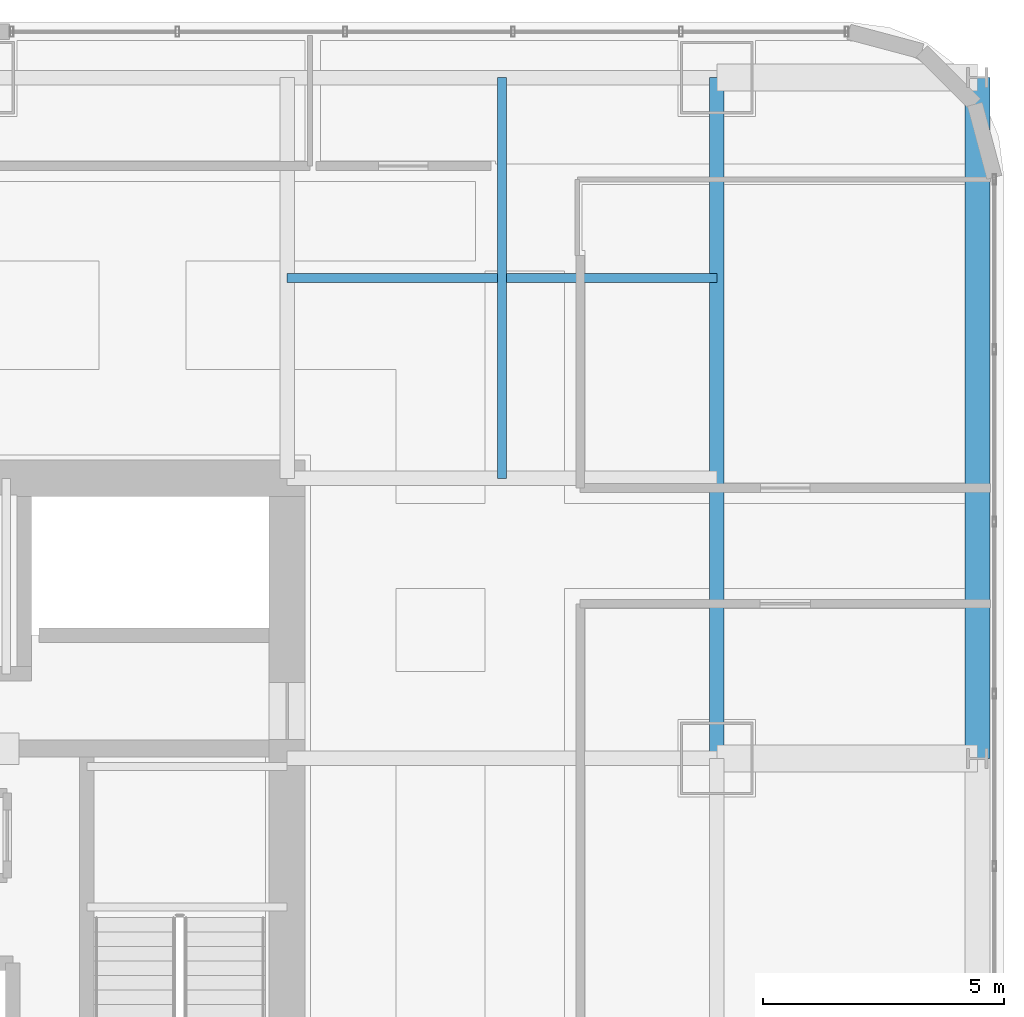
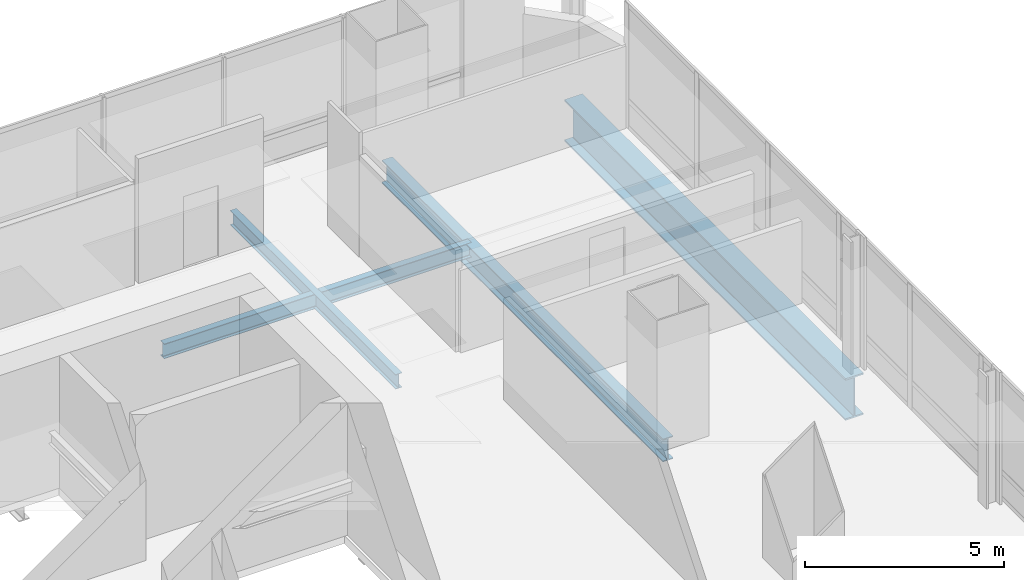
# One storey, part 21 of 40: 4 beams.
"""IFC4 building model written with IfcOpenShell, lengths in metres."""

from ifc_helpers import new_model, si_unit, direction, frame, origin, origin_2d, place, context, subcontext, project, spatial, i_section, extrude, material, material_profile, profile_set, type_object, element, save


model = new_model("IFC4")

# Units and contexts
model_context = context("Model", 3, precision=1e-05, world=origin(), true_north=direction((0.0, 1.0)))
body_context = subcontext(model_context, "Body", "Model", "MODEL_VIEW")
ifc_project = project(units=[si_unit("LENGTHUNIT", "METRE"), si_unit("AREAUNIT", "SQUARE_METRE"), si_unit("VOLUMEUNIT", "CUBIC_METRE"), si_unit("PLANEANGLEUNIT", "RADIAN"), si_unit("MASSUNIT", "GRAM", prefix="KILO")], contexts=[model_context])

# Site, building, storey
site_placement = place(None, origin())
site = spatial("IfcSite", under=ifc_project, at=site_placement, CompositionType="ELEMENT")
building_placement = place(site_placement, origin())
building = spatial("IfcBuilding", under=site, at=building_placement, Name="Punatoya Terracotta Tower", CompositionType="ELEMENT")
storey_placement = place(building_placement, frame((0.0, 0.0, 76.800048828125)))
storey = spatial("IfcBuildingStorey", under=building, at=storey_placement, Name="L17", CompositionType="ELEMENT", Elevation=76.800048828125)

# Beams
ifc_material_1 = material(Name="Steel S355", Category="steel")
ifc_material_profile_1 = material_profile(ifc_material_1, i_section(OverallWidth=0.300048828125, OverallDepth=0.699951171875, WebThickness=0.01708984375, FlangeThickness=0.031982421875, FilletRadius=0.01806640625, at=origin_2d()))
ifc_profile_set_1 = profile_set([ifc_material_profile_1], Name="Steel S355")
beam_type_1 = type_object("IfcBeamType", Name="BM-PRI-700", PredefinedType="BEAM", material=ifc_profile_set_1)
beam_1_placement = place(storey_placement, frame((19.10009765625, 3.39990234375, -0.590087890625), z_axis=(0.0, 1.0, 0.0), x_axis=(-1.0, 0.0, 0.0)))
element("IfcBeam", 1, at=beam_1_placement, inside=storey, type_object=beam_type_1, Name="BM-L17-RG-E3", PredefinedType="BEAM", context=body_context, shape_type="SweptSolid", body=[
    extrude(i_section(OverallWidth=0.300048828125, OverallDepth=0.699951171875, WebThickness=0.01708984375, FlangeThickness=0.031982421875, FilletRadius=0.01806640625, at=origin_2d()), origin(), (0.0, 0.0, 1.0), 14.10009765625),
])
ifc_material_profile_2 = material_profile(ifc_material_1, i_section(OverallWidth=0.18994140625, OverallDepth=0.449951171875, WebThickness=0.009521484375, FlangeThickness=0.0146484375, FilletRadius=0.01806640625, at=origin_2d()))
ifc_profile_set_2 = profile_set([ifc_material_profile_2], Name="Steel S355")
beam_type_2 = type_object("IfcBeamType", Name="BM-SEC-450", PredefinedType="JOIST", material=ifc_profile_set_2)
beam_2_placement = place(storey_placement, frame((10.199951171875, 13.35009765625, -0.465087890625), z_axis=(1.0, 0.0, 0.0), x_axis=(0.0, 1.0, 0.0)))
element("IfcBeam", 2, at=beam_2_placement, inside=storey, type_object=beam_type_2, Name="BM-L17-SJN-2", PredefinedType="JOIST", context=body_context, shape_type="SweptSolid", body=[
    extrude(i_section(OverallWidth=0.18994140625, OverallDepth=0.449951171875, WebThickness=0.009521484375, FlangeThickness=0.0146484375, FilletRadius=0.01806640625, at=origin_2d()), origin(), (0.0, 0.0, 1.0), 8.900146484375),
])
beam_3_placement = place(storey_placement, frame((14.64990234375, 9.199951171875, -0.465087890625), z_axis=(0.0, 1.0, 0.0), x_axis=(-1.0, 0.0, 0.0)))
element("IfcBeam", 3, at=beam_3_placement, inside=storey, type_object=beam_type_2, Name="BM-L17-SJE-2", PredefinedType="JOIST", context=body_context, shape_type="SweptSolid", body=[
    extrude(i_section(OverallWidth=0.18994140625, OverallDepth=0.449951171875, WebThickness=0.009521484375, FlangeThickness=0.0146484375, FilletRadius=0.01806640625, at=origin_2d()), origin(), (0.0, 0.0, 1.0), 8.300048828125),
])
ifc_material_2 = material(Name="Steel S460", Category="steel")
ifc_material_profile_3 = material_profile(ifc_material_2, i_section(OverallWidth=0.52001953125, OverallDepth=1.280029296875, WebThickness=0.031982421875, FlangeThickness=0.050048828125, FilletRadius=0.01806640625, at=origin_2d()))
ifc_profile_set_3 = profile_set([ifc_material_profile_3], Name="Steel S460")
beam_type_3 = type_object("IfcBeamType", Name="BM-TG-NCK", PredefinedType="BEAM", material=ifc_profile_set_3)
beam_4_placement = place(storey_placement, frame((24.5, 3.39990234375, -0.880126953125), z_axis=(0.0, 1.0, 0.0), x_axis=(-1.0, 0.0, 0.0)))
element("IfcBeam", 4, at=beam_4_placement, inside=storey, type_object=beam_type_3, Name="BM-L17-PER-E3", PredefinedType="BEAM", context=body_context, shape_type="SweptSolid", body=[
    extrude(i_section(OverallWidth=0.52001953125, OverallDepth=1.280029296875, WebThickness=0.031982421875, FlangeThickness=0.050048828125, FilletRadius=0.01806640625, at=origin_2d()), origin(), (0.0, 0.0, 1.0), 14.10009765625),
])

save(model, "model.ifc")
